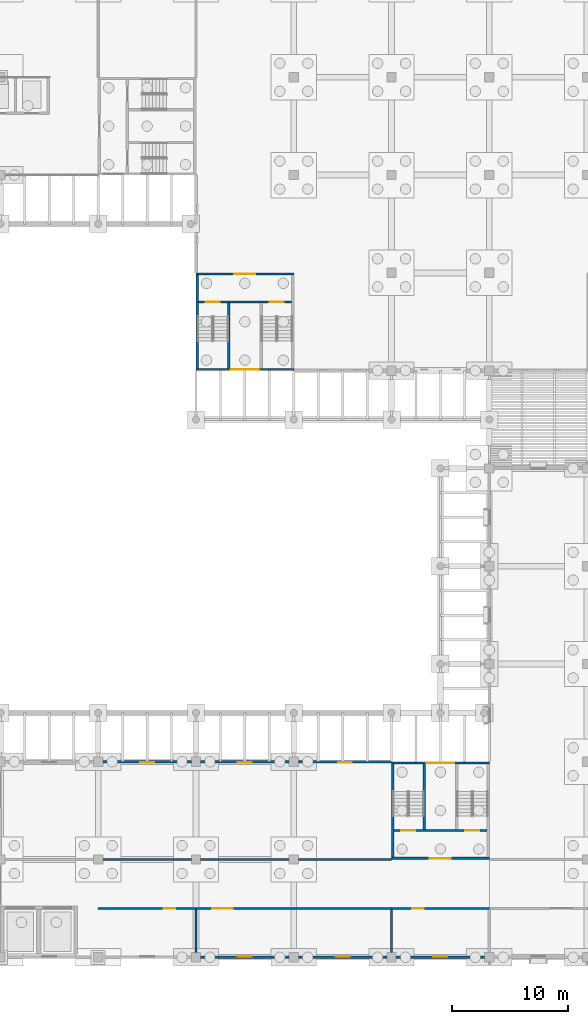
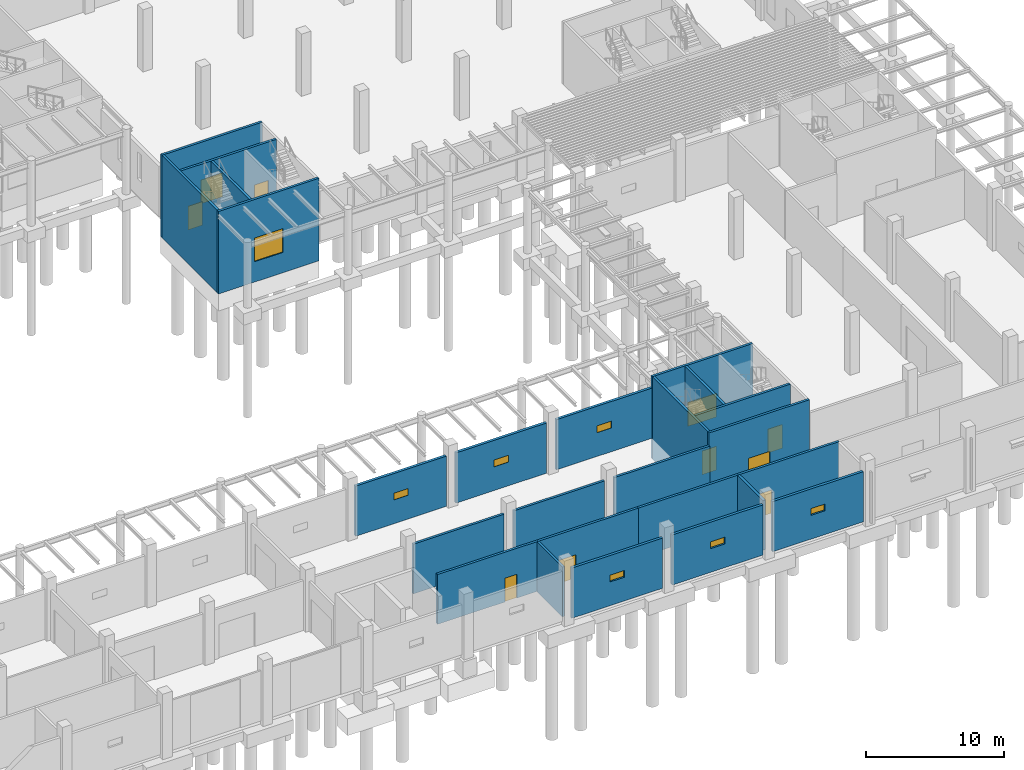
# One storey, part 30 of 82: 25 walls, 11 doors, 6 windows, 17 openings.
"""IFC4 building model written with IfcOpenShell, lengths in metres."""

from ifc_helpers import new_model, si_unit, direction, frame, frame_2d, origin, place, context, subcontext, project, spatial, rectangle, extrude, material, layer, layer_set, type_object, element, fill, save


model = new_model("IFC4")

# Units and contexts
model_context = context("Model", 3, precision=1e-05, world=origin(), true_north=direction((0.0, 1.0)))
body_context = subcontext(model_context, "Body", "Model", "MODEL_VIEW")
ifc_project = project(units=[si_unit("LENGTHUNIT", "METRE"), si_unit("AREAUNIT", "SQUARE_METRE"), si_unit("VOLUMEUNIT", "CUBIC_METRE"), si_unit("PLANEANGLEUNIT", "RADIAN"), si_unit("MASSUNIT", "GRAM", prefix="KILO")], contexts=[model_context])

# Site, building, storey
site_placement = place(None, origin())
site = spatial("IfcSite", under=ifc_project, at=site_placement, CompositionType="ELEMENT")
building_placement = place(site_placement, origin())
building = spatial("IfcBuilding", under=site, at=building_placement, Name="Almond Square Museum", CompositionType="ELEMENT")
storey_placement = place(building_placement, origin())
storey = spatial("IfcBuildingStorey", under=building, at=storey_placement, Name="L00", CompositionType="ELEMENT", Elevation=0.0)

# Walls
ifc_material_1 = material(Name="Concrete blockwork 200", Category="masonry")
ifc_layer_1 = layer(ifc_material_1, 0.199951171875)
ifc_layer_set_1 = layer_set([ifc_layer_1], Name="Concrete blockwork 200")
wall_type_1 = type_object("IfcWallType", Name="Fire partition 200 blockwork", PredefinedType="PARTITIONING", material=ifc_layer_set_1)
wall_1_placement = place(storey_placement, frame((98.800048828125, 8.39990234375, 0.0), z_axis=(0.0, 0.0, 1.0), x_axis=(1.0, 0.0, 0.0)))
element("IfcWall", 1, at=wall_1_placement, inside=storey, type_object=wall_type_1, Name="L00 partition 92", PredefinedType="PARTITIONING", context=body_context, shape_type="SweptSolid", body=[
    extrude(rectangle(XDim=7.599853515625, YDim=0.199951171875, at=frame_2d((3.7998046875, 0.0))), origin(), (0.0, 0.0, 1.0), 4.39990234375),
])
wall_2_placement = place(storey_placement, frame((107.199951171875, 8.39990234375, 0.0), z_axis=(0.0, 0.0, 1.0), x_axis=(1.0, 0.0, 0.0)))
element("IfcWall", 2, at=wall_2_placement, inside=storey, type_object=wall_type_1, Name="L00 partition 93", PredefinedType="PARTITIONING", context=body_context, shape_type="SweptSolid", body=[
    extrude(rectangle(XDim=7.60009765625, YDim=0.199951171875, at=frame_2d((3.800048828125, 0.0))), origin(), (0.0, 0.0, 1.0), 4.39990234375),
])
wall_3_placement = place(storey_placement, frame((115.60009765625, 8.39990234375, 0.0), z_axis=(0.0, 0.0, 1.0), x_axis=(1.0, 0.0, 0.0)))
element("IfcWall", 3, at=wall_3_placement, inside=storey, type_object=wall_type_1, Name="L00 partition 94", PredefinedType="PARTITIONING", context=body_context, shape_type="SweptSolid", body=[
    extrude(rectangle(XDim=8.0, YDim=0.199951171875, at=frame_2d((4.0, 0.0))), origin(), (0.0, 0.0, 1.0), 4.39990234375),
])

# Wall, opening, door
wall_4_placement = place(storey_placement, frame((98.39990234375, 4.199951171875, 0.0), z_axis=(0.0, 0.0, 1.0), x_axis=(1.0, 0.0, 0.0)))
wall_4 = element("IfcWall", 4, at=wall_4_placement, inside=storey, type_object=wall_type_1, Name="L00 partition 95", PredefinedType="PARTITIONING", context=body_context, shape_type="SweptSolid", body=[
    extrude(rectangle(XDim=8.400146484375, YDim=0.199951171875, at=frame_2d((4.2001953125, 0.0))), origin(), (0.0, 0.0, 1.0), 4.39990234375),
])
opening_1_placement = place(wall_4_placement, frame((5.625, 0.0, 0.0)))
opening_1 = element("IfcOpeningElement", 5, at=opening_1_placement, cuts=wall_4, Name="Opening D0132", PredefinedType="OPENING", context=body_context, shape_type="SweptSolid", body=[
    extrude(rectangle(XDim=1.0, YDim=2.10009765625, at=frame_2d((0.5, 1.050048828125))), frame((0.0, 0.10986328125, 0.0), z_axis=(0.0, -1.0, 0.0), x_axis=(1.0, 0.0, 0.0)), (0.0, 0.0, 1.0), 0.219970703125),
])
ifc_material_2 = material(Name="Steel", Category="steel")
door_type_1 = type_object("IfcDoorType", Name="Fire door 1000 x 2100 FD60 single", OperationType="NOTDEFINED", PredefinedType="DOOR", material=ifc_material_2)
door_1_placement = place(opening_1_placement, origin())
door_1 = element("IfcDoor", 6, at=door_1_placement, inside=storey, type_object=door_type_1, Name="L00 door Pump Room to Service Corridor 1", OperationType="SINGLE_SWING_LEFT", OverallHeight=2.10009765625, OverallWidth=1.0, PredefinedType="DOOR", context=body_context, shape_type="SweptSolid", body=[
    extrude(rectangle(XDim=1.0, YDim=2.10009765625, at=frame_2d((0.5, 1.050048828125))), frame((0.0, 0.02490234375, 0.0), z_axis=(0.0, -1.0, 0.0), x_axis=(1.0, 0.0, 0.0)), (0.0, 0.0, 1.0), 0.050048828125),
])
fill(opening_1, door_1)

wall_5_placement = place(storey_placement, frame((106.800048828125, 4.199951171875, 0.0), z_axis=(0.0, 0.0, 1.0), x_axis=(1.0, 0.0, 0.0)))
wall_5 = element("IfcWall", 7, at=wall_5_placement, inside=storey, type_object=wall_type_1, Name="L00 partition 96", PredefinedType="PARTITIONING", context=body_context, shape_type="SweptSolid", body=[
    extrude(rectangle(XDim=8.39990234375, YDim=0.199951171875, at=frame_2d((4.199951171875, 0.0))), origin(), (0.0, 0.0, 1.0), 4.39990234375),
])
opening_2_placement = place(wall_5_placement, frame((1.375, 0.0, 0.0)))
opening_2 = element("IfcOpeningElement", 8, at=opening_2_placement, cuts=wall_5, Name="Opening D0136", PredefinedType="OPENING", context=body_context, shape_type="SweptSolid", body=[
    extrude(rectangle(XDim=1.800048828125, YDim=2.10009765625, at=frame_2d((0.89990234375, 1.050048828125))), frame((0.0, 0.10986328125, 0.0), z_axis=(0.0, -1.0, 0.0), x_axis=(1.0, 0.0, 0.0)), (0.0, 0.0, 1.0), 0.219970703125),
])
ifc_material_3 = material(Name="Steel", Category="steel")
door_type_2 = type_object("IfcDoorType", Name="Fire door 1800 x 2100 FD60 double", OperationType="NOTDEFINED", PredefinedType="DOOR", material=ifc_material_3)
door_2_placement = place(opening_2_placement, origin())
door_2 = element("IfcDoor", 9, at=door_2_placement, inside=storey, type_object=door_type_2, Name="L00 door Air Handling Plant 1 to Service Corridor 1", OperationType="DOUBLE_DOOR_SINGLE_SWING", OverallHeight=2.10009765625, OverallWidth=1.800048828125, PredefinedType="DOOR", context=body_context, shape_type="SweptSolid", body=[
    extrude(rectangle(XDim=1.800048828125, YDim=2.10009765625, at=frame_2d((0.89990234375, 1.050048828125))), frame((0.0, 0.02490234375, 0.0), z_axis=(0.0, -1.0, 0.0), x_axis=(1.0, 0.0, 0.0)), (0.0, 0.0, 1.0), 0.050048828125),
])
fill(opening_2, door_2)

# Wall
wall_6_placement = place(storey_placement, frame((115.199951171875, 4.199951171875, 0.0), z_axis=(0.0, 0.0, 1.0), x_axis=(1.0, 0.0, 0.0)))
element("IfcWall", 10, at=wall_6_placement, inside=storey, type_object=wall_type_1, Name="L00 partition 97", PredefinedType="PARTITIONING", context=body_context, shape_type="SweptSolid", body=[
    extrude(rectangle(XDim=8.400146484375, YDim=0.199951171875, at=frame_2d((4.2001953125, 0.0))), origin(), (0.0, 0.0, 1.0), 4.39990234375),
])

# Wall, opening, door
wall_7_placement = place(storey_placement, frame((123.60009765625, 4.199951171875, 0.0), z_axis=(0.0, 0.0, 1.0), x_axis=(1.0, 0.0, 0.0)))
wall_7 = element("IfcWall", 11, at=wall_7_placement, inside=storey, type_object=wall_type_1, Name="L00 partition 98", PredefinedType="PARTITIONING", context=body_context, shape_type="SweptSolid", body=[
    extrude(rectangle(XDim=8.39990234375, YDim=0.199951171875, at=frame_2d((4.199951171875, 0.0))), origin(), (0.0, 0.0, 1.0), 4.39990234375),
])
opening_3_placement = place(wall_7_placement, frame((1.77490234375, 0.0, 0.0)))
opening_3 = element("IfcOpeningElement", 12, at=opening_3_placement, cuts=wall_7, Name="Opening D0137", PredefinedType="OPENING", context=body_context, shape_type="SweptSolid", body=[
    extrude(rectangle(XDim=1.0, YDim=2.10009765625, at=frame_2d((0.5, 1.050048828125))), frame((0.0, 0.10986328125, 0.0), z_axis=(0.0, -1.0, 0.0), x_axis=(1.0, 0.0, 0.0)), (0.0, 0.0, 1.0), 0.219970703125),
])
door_3_placement = place(opening_3_placement, origin())
door_3 = element("IfcDoor", 13, at=door_3_placement, inside=storey, type_object=door_type_1, Name="L00 door Generator Room to Service Corridor 1", OperationType="SINGLE_SWING_RIGHT", OverallHeight=2.10009765625, OverallWidth=1.0, PredefinedType="DOOR", context=body_context, shape_type="SweptSolid", body=[
    extrude(rectangle(XDim=1.0, YDim=2.10009765625, at=frame_2d((0.5, 1.050048828125))), frame((0.0, 0.02490234375, 0.0), z_axis=(0.0, -1.0, 0.0), x_axis=(1.0, 0.0, 0.0)), (0.0, 0.0, 1.0), 0.050048828125),
])
fill(opening_3, door_3)

# Walls
for number, where, z_axis, x_axis, name in (
    (14, (106.800048828125, 0.39990234375, 0.0), (0.0, 0.0, 1.0), (0.0, 1.0, 0.0), "L00 partition 116"),
    (15, (123.60009765625, 0.39990234375, 0.0), (0.0, 0.0, 1.0), (0.0, 1.0, 0.0), "L00 partition 118"),
):
    element("IfcWall", number, at=place(storey_placement, frame(where, z_axis=z_axis, x_axis=x_axis)), inside=storey, type_object=wall_type_1, Name=name, PredefinedType="PARTITIONING", context=body_context, shape_type="SweptSolid", body=[
        extrude(rectangle(XDim=3.7001953125, YDim=0.199951171875, at=frame_2d((1.85009765625, 0.0))), origin(), (0.0, 0.0, 1.0), 4.39990234375),
    ])

# Wall, opening, door
ifc_material_4 = material(Name="Concrete C40/50", Category="concrete")
ifc_layer_2 = layer(ifc_material_4, 0.199951171875)
ifc_layer_set_2 = layer_set([ifc_layer_2], Name="Concrete C40/50")
wall_type_2 = type_object("IfcWallType", Name="RC shear wall 200 C40/50", PredefinedType="SHEAR", material=ifc_layer_set_2)
wall_8_placement = place(storey_placement, frame((115.199951171875, 50.5, -1.800048828125), z_axis=(0.0, 0.0, 1.0), x_axis=(-1.0, 0.0, 0.0)))
wall_8 = element("IfcWall", 16, at=wall_8_placement, inside=storey, type_object=wall_type_2, Name="Core H1 south wall L00", PredefinedType="SHEAR", context=body_context, shape_type="SweptSolid", body=[
    extrude(rectangle(XDim=8.39990234375, YDim=0.199951171875, at=frame_2d((4.199951171875, 0.0))), origin(), (0.0, 0.0, 1.0), 7.300048828125),
])
opening_4_placement = place(wall_8_placement, frame((2.998779296875, 0.0, 1.800048828125)))
opening_4 = element("IfcOpeningElement", 17, at=opening_4_placement, cuts=wall_8, Name="Opening D018", PredefinedType="OPENING", context=body_context, shape_type="SweptSolid", body=[
    extrude(rectangle(XDim=2.39990234375, YDim=2.10009765625, at=frame_2d((1.199951171875, 1.050048828125))), frame((0.0, 0.10986328125, 0.0), z_axis=(0.0, -1.0, 0.0), x_axis=(1.0, 0.0, 0.0)), (0.0, 0.0, 1.0), 0.219970703125),
])
ifc_material_5 = material(Name="Steel frame and steel leaf", Category="steel")
door_type_3 = type_object("IfcDoorType", Name="Stair exit door pair 2400 x 2100", OperationType="NOTDEFINED", PredefinedType="DOOR", material=ifc_material_5)
door_4_placement = place(opening_4_placement, origin())
door_4 = element("IfcDoor", 18, at=door_4_placement, inside=storey, type_object=door_type_3, Name="Stair Exit H1 door D018", OperationType="DOUBLE_DOOR_SINGLE_SWING", OverallHeight=2.10009765625, OverallWidth=2.39990234375, PredefinedType="DOOR", context=body_context, shape_type="SweptSolid", body=[
    extrude(rectangle(XDim=2.39990234375, YDim=2.10009765625, at=frame_2d((1.199951171875, 1.050048828125))), frame((0.0, 0.02490234375, 0.0), z_axis=(0.0, -1.0, 0.0), x_axis=(1.0, 0.0, 0.0)), (0.0, 0.0, 1.0), 0.050048828125),
])
fill(opening_4, door_4)

wall_9_placement = place(storey_placement, frame((106.800048828125, 58.699951171875, -1.800048828125), z_axis=(0.0, 0.0, 1.0), x_axis=(1.0, 0.0, 0.0)))
wall_9 = element("IfcWall", 19, at=wall_9_placement, inside=storey, type_object=wall_type_2, Name="Core H1 north wall L00", PredefinedType="SHEAR", context=body_context, shape_type="SweptSolid", body=[
    extrude(rectangle(XDim=8.39990234375, YDim=0.199951171875, at=frame_2d((4.199951171875, 0.0))), origin(), (0.0, 0.0, 1.0), 7.300048828125),
])
opening_5_placement = place(wall_9_placement, frame((3.300048828125, 0.0, 1.800048828125)))
opening_5 = element("IfcOpeningElement", 20, at=opening_5_placement, cuts=wall_9, Name="Opening D0157", PredefinedType="OPENING", context=body_context, shape_type="SweptSolid", body=[
    extrude(rectangle(XDim=1.800048828125, YDim=2.10009765625, at=frame_2d((0.89990234375, 1.050048828125))), frame((0.0, 0.10986328125, 0.0), z_axis=(0.0, -1.0, 0.0), x_axis=(1.0, 0.0, 0.0)), (0.0, 0.0, 1.0), 0.219970703125),
])
door_5_placement = place(opening_5_placement, origin())
door_5 = element("IfcDoor", 21, at=door_5_placement, inside=storey, type_object=door_type_2, Name="L00 stair core H1 lobby door", OperationType="DOUBLE_DOOR_SINGLE_SWING", OverallHeight=2.10009765625, OverallWidth=1.800048828125, PredefinedType="DOOR", context=body_context, shape_type="SweptSolid", body=[
    extrude(rectangle(XDim=1.800048828125, YDim=2.10009765625, at=frame_2d((0.89990234375, 1.050048828125))), frame((0.0, 0.02490234375, 0.0), z_axis=(0.0, -1.0, 0.0), x_axis=(1.0, 0.0, 0.0)), (0.0, 0.0, 1.0), 0.050048828125),
])
fill(opening_5, door_5)

# Wall
wall_10_placement = place(storey_placement, frame((106.89990234375, 50.60009765625, -1.800048828125), z_axis=(0.0, 0.0, 1.0), x_axis=(0.0, 1.0, 0.0)))
element("IfcWall", 22, at=wall_10_placement, inside=storey, type_object=wall_type_2, Name="Core H1 west wall L00", PredefinedType="SHEAR", context=body_context, shape_type="SweptSolid", body=[
    extrude(rectangle(XDim=8.0, YDim=0.199951171875, at=frame_2d((4.0, 0.0))), origin(), (0.0, 0.0, 1.0), 7.300048828125),
])

# Wall, openings, doors
wall_11_placement = place(storey_placement, frame((107.0, 56.300048828125, -1.800048828125), z_axis=(0.0, 0.0, 1.0), x_axis=(1.0, 0.0, 0.0)))
wall_11 = element("IfcWall", 23, at=wall_11_placement, inside=storey, type_object=wall_type_2, Name="Core H1 lobby wall L00", PredefinedType="SHEAR", context=body_context, shape_type="SweptSolid", body=[
    extrude(rectangle(XDim=8.0, YDim=0.199951171875, at=frame_2d((4.0, 0.0))), origin(), (0.0, 0.0, 1.0), 7.300048828125),
])
opening_6_placement = place(wall_11_placement, frame((0.64990234375, 0.0, 1.800048828125)))
opening_6 = element("IfcOpeningElement", 24, at=opening_6_placement, cuts=wall_11, Name="Opening D0158", PredefinedType="OPENING", context=body_context, shape_type="SweptSolid", body=[
    extrude(rectangle(XDim=1.199951171875, YDim=2.10009765625, at=frame_2d((0.60009765625, 1.050048828125))), frame((0.0, 0.10986328125, 0.0), z_axis=(0.0, -1.0, 0.0), x_axis=(1.0, 0.0, 0.0)), (0.0, 0.0, 1.0), 0.219970703125),
])
opening_7_placement = place(wall_11_placement, frame((6.14990234375, 0.0, 1.800048828125)))
opening_7 = element("IfcOpeningElement", 25, at=opening_7_placement, cuts=wall_11, Name="Opening D0159", PredefinedType="OPENING", context=body_context, shape_type="SweptSolid", body=[
    extrude(rectangle(XDim=1.199951171875, YDim=2.10009765625, at=frame_2d((0.60009765625, 1.050048828125))), frame((0.0, 0.10986328125, 0.0), z_axis=(0.0, -1.0, 0.0), x_axis=(1.0, 0.0, 0.0)), (0.0, 0.0, 1.0), 0.219970703125),
])
ifc_material_6 = material(Name="Steel", Category="steel")
door_type_4 = type_object("IfcDoorType", Name="Fire door 1200 x 2100 FD120 stair", OperationType="NOTDEFINED", PredefinedType="DOOR", material=ifc_material_6)
door_6_placement = place(opening_6_placement, origin())
door_6 = element("IfcDoor", 26, at=door_6_placement, inside=storey, type_object=door_type_4, Name="L00 stair H1-1 door", OperationType="SINGLE_SWING_LEFT", OverallHeight=2.10009765625, OverallWidth=1.199951171875, PredefinedType="DOOR", context=body_context, shape_type="SweptSolid", body=[
    extrude(rectangle(XDim=1.199951171875, YDim=2.10009765625, at=frame_2d((0.60009765625, 1.050048828125))), frame((0.0, 0.02490234375, 0.0), z_axis=(0.0, -1.0, 0.0), x_axis=(1.0, 0.0, 0.0)), (0.0, 0.0, 1.0), 0.050048828125),
])
fill(opening_6, door_6)
door_7_placement = place(opening_7_placement, origin())
door_7 = element("IfcDoor", 27, at=door_7_placement, inside=storey, type_object=door_type_4, Name="L00 stair H1-2 door", OperationType="SINGLE_SWING_RIGHT", OverallHeight=2.10009765625, OverallWidth=1.199951171875, PredefinedType="DOOR", context=body_context, shape_type="SweptSolid", body=[
    extrude(rectangle(XDim=1.199951171875, YDim=2.10009765625, at=frame_2d((0.60009765625, 1.050048828125))), frame((0.0, 0.02490234375, 0.0), z_axis=(0.0, -1.0, 0.0), x_axis=(1.0, 0.0, 0.0)), (0.0, 0.0, 1.0), 0.050048828125),
])
fill(opening_7, door_7)

# Wall
wall_12_placement = place(storey_placement, frame((109.60009765625, 50.60009765625, -1.800048828125), z_axis=(0.0, 0.0, 1.0), x_axis=(0.0, 1.0, 0.0)))
element("IfcWall", 28, at=wall_12_placement, inside=storey, type_object=wall_type_2, Name="Core H1 partition wall L00", PredefinedType="SHEAR", context=body_context, shape_type="SweptSolid", body=[
    extrude(rectangle(XDim=5.599853515625, YDim=0.199951171875, at=frame_2d((2.7998046875, 0.0))), origin(), (0.0, 0.0, 1.0), 7.300048828125),
])

# Wall, opening, door
wall_13_placement = place(storey_placement, frame((123.60009765625, 8.5, -1.800048828125), z_axis=(0.0, 0.0, 1.0), x_axis=(1.0, 0.0, 0.0)))
wall_13 = element("IfcWall", 29, at=wall_13_placement, inside=storey, type_object=wall_type_2, Name="Core S3 south wall L00", PredefinedType="SHEAR", context=body_context, shape_type="SweptSolid", body=[
    extrude(rectangle(XDim=8.39990234375, YDim=0.199951171875, at=frame_2d((4.199951171875, 0.0))), origin(), (0.0, 0.0, 1.0), 7.300048828125),
])
opening_8_placement = place(wall_13_placement, frame((3.300048828125, 0.0, 1.800048828125)))
opening_8 = element("IfcOpeningElement", 30, at=opening_8_placement, cuts=wall_13, Name="Opening D0210", PredefinedType="OPENING", context=body_context, shape_type="SweptSolid", body=[
    extrude(rectangle(XDim=1.800048828125, YDim=2.10009765625, at=frame_2d((0.89990234375, 1.050048828125))), frame((0.0, 0.10986328125, 0.0), z_axis=(0.0, -1.0, 0.0), x_axis=(1.0, 0.0, 0.0)), (0.0, 0.0, 1.0), 0.219970703125),
])
door_8_placement = place(opening_8_placement, origin())
door_8 = element("IfcDoor", 31, at=door_8_placement, inside=storey, type_object=door_type_2, Name="L00 stair core S3 lobby door", OperationType="DOUBLE_DOOR_SINGLE_SWING", OverallHeight=2.10009765625, OverallWidth=1.800048828125, PredefinedType="DOOR", context=body_context, shape_type="SweptSolid", body=[
    extrude(rectangle(XDim=1.800048828125, YDim=2.10009765625, at=frame_2d((0.89990234375, 1.050048828125))), frame((0.0, 0.02490234375, 0.0), z_axis=(0.0, -1.0, 0.0), x_axis=(1.0, 0.0, 0.0)), (0.0, 0.0, 1.0), 0.050048828125),
])
fill(opening_8, door_8)

wall_14_placement = place(storey_placement, frame((123.60009765625, 16.699951171875, -1.800048828125), z_axis=(0.0, 0.0, 1.0), x_axis=(1.0, 0.0, 0.0)))
wall_14 = element("IfcWall", 32, at=wall_14_placement, inside=storey, type_object=wall_type_2, Name="Core S3 north wall L00", PredefinedType="SHEAR", context=body_context, shape_type="SweptSolid", body=[
    extrude(rectangle(XDim=8.39990234375, YDim=0.199951171875, at=frame_2d((4.199951171875, 0.0))), origin(), (0.0, 0.0, 1.0), 7.300048828125),
])
opening_9_placement = place(wall_14_placement, frame((3.001220703125, 0.0, 1.800048828125)))
opening_9 = element("IfcOpeningElement", 33, at=opening_9_placement, cuts=wall_14, Name="Opening D033", PredefinedType="OPENING", context=body_context, shape_type="SweptSolid", body=[
    extrude(rectangle(XDim=2.39990234375, YDim=2.10009765625, at=frame_2d((1.199951171875, 1.050048828125))), frame((0.0, 0.10986328125, 0.0), z_axis=(0.0, -1.0, 0.0), x_axis=(1.0, 0.0, 0.0)), (0.0, 0.0, 1.0), 0.219970703125),
])
door_9_placement = place(opening_9_placement, origin())
door_9 = element("IfcDoor", 34, at=door_9_placement, inside=storey, type_object=door_type_3, Name="Stair Exit S3 door D033", OperationType="DOUBLE_DOOR_SINGLE_SWING", OverallHeight=2.10009765625, OverallWidth=2.39990234375, PredefinedType="DOOR", context=body_context, shape_type="SweptSolid", body=[
    extrude(rectangle(XDim=2.39990234375, YDim=2.10009765625, at=frame_2d((1.199951171875, 1.050048828125))), frame((0.0, 0.02490234375, 0.0), z_axis=(0.0, -1.0, 0.0), x_axis=(1.0, 0.0, 0.0)), (0.0, 0.0, 1.0), 0.050048828125),
])
fill(opening_9, door_9)

# Wall
wall_15_placement = place(storey_placement, frame((123.699951171875, 8.60009765625, -1.800048828125), z_axis=(0.0, 0.0, 1.0), x_axis=(0.0, 1.0, 0.0)))
element("IfcWall", 35, at=wall_15_placement, inside=storey, type_object=wall_type_2, Name="Core S3 west wall L00", PredefinedType="SHEAR", context=body_context, shape_type="SweptSolid", body=[
    extrude(rectangle(XDim=8.0, YDim=0.199951171875, at=frame_2d((4.0, 0.0))), origin(), (0.0, 0.0, 1.0), 7.300048828125),
])

# Wall, openings, doors
wall_16_placement = place(storey_placement, frame((123.800048828125, 10.89990234375, -1.800048828125), z_axis=(0.0, 0.0, 1.0), x_axis=(1.0, 0.0, 0.0)))
wall_16 = element("IfcWall", 36, at=wall_16_placement, inside=storey, type_object=wall_type_2, Name="Core S3 lobby wall L00", PredefinedType="SHEAR", context=body_context, shape_type="SweptSolid", body=[
    extrude(rectangle(XDim=8.0, YDim=0.199951171875, at=frame_2d((4.0, 0.0))), origin(), (0.0, 0.0, 1.0), 7.300048828125),
])
opening_10_placement = place(wall_16_placement, frame((0.64990234375, 0.0, 1.800048828125)))
opening_10 = element("IfcOpeningElement", 37, at=opening_10_placement, cuts=wall_16, Name="Opening D0211", PredefinedType="OPENING", context=body_context, shape_type="SweptSolid", body=[
    extrude(rectangle(XDim=1.199951171875, YDim=2.10009765625, at=frame_2d((0.60009765625, 1.050048828125))), frame((0.0, 0.10986328125, 0.0), z_axis=(0.0, -1.0, 0.0), x_axis=(1.0, 0.0, 0.0)), (0.0, 0.0, 1.0), 0.219970703125),
])
opening_11_placement = place(wall_16_placement, frame((6.14990234375, 0.0, 1.800048828125)))
opening_11 = element("IfcOpeningElement", 38, at=opening_11_placement, cuts=wall_16, Name="Opening D0212", PredefinedType="OPENING", context=body_context, shape_type="SweptSolid", body=[
    extrude(rectangle(XDim=1.199951171875, YDim=2.10009765625, at=frame_2d((0.60009765625, 1.050048828125))), frame((0.0, 0.10986328125, 0.0), z_axis=(0.0, -1.0, 0.0), x_axis=(1.0, 0.0, 0.0)), (0.0, 0.0, 1.0), 0.219970703125),
])
door_10_placement = place(opening_10_placement, origin())
door_10 = element("IfcDoor", 39, at=door_10_placement, inside=storey, type_object=door_type_4, Name="L00 stair S3-1 door", OperationType="SINGLE_SWING_LEFT", OverallHeight=2.10009765625, OverallWidth=1.199951171875, PredefinedType="DOOR", context=body_context, shape_type="SweptSolid", body=[
    extrude(rectangle(XDim=1.199951171875, YDim=2.10009765625, at=frame_2d((0.60009765625, 1.050048828125))), frame((0.0, 0.02490234375, 0.0), z_axis=(0.0, -1.0, 0.0), x_axis=(1.0, 0.0, 0.0)), (0.0, 0.0, 1.0), 0.050048828125),
])
fill(opening_10, door_10)
door_11_placement = place(opening_11_placement, origin())
door_11 = element("IfcDoor", 40, at=door_11_placement, inside=storey, type_object=door_type_4, Name="L00 stair S3-2 door", OperationType="SINGLE_SWING_RIGHT", OverallHeight=2.10009765625, OverallWidth=1.199951171875, PredefinedType="DOOR", context=body_context, shape_type="SweptSolid", body=[
    extrude(rectangle(XDim=1.199951171875, YDim=2.10009765625, at=frame_2d((0.60009765625, 1.050048828125))), frame((0.0, 0.02490234375, 0.0), z_axis=(0.0, -1.0, 0.0), x_axis=(1.0, 0.0, 0.0)), (0.0, 0.0, 1.0), 0.050048828125),
])
fill(opening_11, door_11)

# Wall
wall_17_placement = place(storey_placement, frame((126.39990234375, 11.0, -1.800048828125), z_axis=(0.0, 0.0, 1.0), x_axis=(0.0, 1.0, 0.0)))
element("IfcWall", 41, at=wall_17_placement, inside=storey, type_object=wall_type_2, Name="Core S3 partition wall L00", PredefinedType="SHEAR", context=body_context, shape_type="SweptSolid", body=[
    extrude(rectangle(XDim=5.60009765625, YDim=0.199951171875, at=frame_2d((2.800048828125, 0.0))), origin(), (0.0, 0.0, 1.0), 7.300048828125),
])

# Wall, opening, window
ifc_material_7 = material(Name="Concrete C30/37", Category="concrete")
ifc_layer_3 = layer(ifc_material_7, 0.219970703125)
ifc_layer_set_3 = layer_set([ifc_layer_3], Name="Concrete C30/37")
wall_type_3 = type_object("IfcWallType", Name="Stucco panel wall 220 with insulation", PredefinedType="SOLIDWALL", material=ifc_layer_set_3)
wall_18_placement = place(storey_placement, frame((107.199951171875, 0.0, 0.0), z_axis=(0.0, 0.0, 1.0), x_axis=(1.0, 0.0, 0.0)))
wall_18 = element("IfcWall", 42, at=wall_18_placement, inside=storey, type_object=wall_type_3, Name="External wall W4 V5S L00 S12", PredefinedType="SOLIDWALL", context=body_context, shape_type="SweptSolid", body=[
    extrude(rectangle(XDim=7.60009765625, YDim=0.219970703125, at=frame_2d((3.800048828125, 0.0))), origin(), (0.0, 0.0, 1.0), 4.43994140625),
])
opening_12_placement = place(wall_18_placement, frame((3.199951171875, 0.0, 2.10009765625)))
opening_12 = element("IfcOpeningElement", 43, at=opening_12_placement, cuts=wall_18, Name="Opening W0009", PredefinedType="OPENING", context=body_context, shape_type="SweptSolid", body=[
    extrude(rectangle(XDim=1.199951171875, YDim=0.60009765625, at=frame_2d((0.60009765625, 0.300048828125))), frame((0.0, 0.119873046875, 0.0), z_axis=(0.0, -1.0, 0.0), x_axis=(1.0, 0.0, 0.0)), (0.0, 0.0, 1.0), 0.239990234375),
])
ifc_material_8 = material(Name="Anodised aluminium louvre", Category="aluminium")
window_type = type_object("IfcWindowType", Name="Louvred vent", PartitioningType="SINGLE_PANEL", PredefinedType="WINDOW", material=ifc_material_8)
window_1_placement = place(opening_12_placement, origin())
window_1 = element("IfcWindow", 44, at=window_1_placement, inside=storey, type_object=window_type, Name="Louvred vent W0009", OverallHeight=0.60009765625, OverallWidth=1.199951171875, PartitioningType="SINGLE_PANEL", PredefinedType="WINDOW", context=body_context, shape_type="SweptSolid", body=[
    extrude(rectangle(XDim=1.199951171875, YDim=0.60009765625, at=frame_2d((0.60009765625, 0.300048828125))), frame((0.0, 0.090087890625, 0.0), z_axis=(0.0, -1.0, 0.0), x_axis=(1.0, 0.0, 0.0)), (0.0, 0.0, 1.0), 0.06005859375),
])
fill(opening_12, window_1)

wall_19_placement = place(storey_placement, frame((115.60009765625, 0.0, 0.0), z_axis=(0.0, 0.0, 1.0), x_axis=(1.0, 0.0, 0.0)))
wall_19 = element("IfcWall", 45, at=wall_19_placement, inside=storey, type_object=wall_type_3, Name="External wall W4 V5S L00 S13", PredefinedType="SOLIDWALL", context=body_context, shape_type="SweptSolid", body=[
    extrude(rectangle(XDim=7.599853515625, YDim=0.219970703125, at=frame_2d((3.7998046875, 0.0))), origin(), (0.0, 0.0, 1.0), 4.43994140625),
])
opening_13_placement = place(wall_19_placement, frame((3.199951171875, 0.0, 2.10009765625)))
opening_13 = element("IfcOpeningElement", 46, at=opening_13_placement, cuts=wall_19, Name="Opening W0010", PredefinedType="OPENING", context=body_context, shape_type="SweptSolid", body=[
    extrude(rectangle(XDim=1.199951171875, YDim=0.60009765625, at=frame_2d((0.60009765625, 0.300048828125))), frame((0.0, 0.119873046875, 0.0), z_axis=(0.0, -1.0, 0.0), x_axis=(1.0, 0.0, 0.0)), (0.0, 0.0, 1.0), 0.239990234375),
])
window_2_placement = place(opening_13_placement, origin())
window_2 = element("IfcWindow", 47, at=window_2_placement, inside=storey, type_object=window_type, Name="Louvred vent W0010", OverallHeight=0.60009765625, OverallWidth=1.199951171875, PartitioningType="SINGLE_PANEL", PredefinedType="WINDOW", context=body_context, shape_type="SweptSolid", body=[
    extrude(rectangle(XDim=1.199951171875, YDim=0.60009765625, at=frame_2d((0.60009765625, 0.300048828125))), frame((0.0, 0.090087890625, 0.0), z_axis=(0.0, -1.0, 0.0), x_axis=(1.0, 0.0, 0.0)), (0.0, 0.0, 1.0), 0.06005859375),
])
fill(opening_13, window_2)

wall_20_placement = place(storey_placement, frame((124.0, 0.0, 0.0), z_axis=(0.0, 0.0, 1.0), x_axis=(1.0, 0.0, 0.0)))
wall_20 = element("IfcWall", 48, at=wall_20_placement, inside=storey, type_object=wall_type_3, Name="External wall W4 V5S L00 S14", PredefinedType="SOLIDWALL", context=body_context, shape_type="SweptSolid", body=[
    extrude(rectangle(XDim=7.60009765625, YDim=0.219970703125, at=frame_2d((3.800048828125, 0.0))), origin(), (0.0, 0.0, 1.0), 4.43994140625),
])
opening_14_placement = place(wall_20_placement, frame((3.199951171875, 0.0, 2.10009765625)))
opening_14 = element("IfcOpeningElement", 49, at=opening_14_placement, cuts=wall_20, Name="Opening W0011", PredefinedType="OPENING", context=body_context, shape_type="SweptSolid", body=[
    extrude(rectangle(XDim=1.199951171875, YDim=0.60009765625, at=frame_2d((0.60009765625, 0.300048828125))), frame((0.0, 0.119873046875, 0.0), z_axis=(0.0, -1.0, 0.0), x_axis=(1.0, 0.0, 0.0)), (0.0, 0.0, 1.0), 0.239990234375),
])
window_3_placement = place(opening_14_placement, origin())
window_3 = element("IfcWindow", 50, at=window_3_placement, inside=storey, type_object=window_type, Name="Louvred vent W0011", OverallHeight=0.60009765625, OverallWidth=1.199951171875, PartitioningType="SINGLE_PANEL", PredefinedType="WINDOW", context=body_context, shape_type="SweptSolid", body=[
    extrude(rectangle(XDim=1.199951171875, YDim=0.60009765625, at=frame_2d((0.60009765625, 0.300048828125))), frame((0.0, 0.090087890625, 0.0), z_axis=(0.0, -1.0, 0.0), x_axis=(1.0, 0.0, 0.0)), (0.0, 0.0, 1.0), 0.06005859375),
])
fill(opening_14, window_3)

wall_21_placement = place(storey_placement, frame((115.60009765625, 16.800048828125, 0.0), z_axis=(0.0, 0.0, 1.0), x_axis=(1.0, 0.0, 0.0)))
wall_21 = element("IfcWall", 51, at=wall_21_placement, inside=storey, type_object=wall_type_3, Name="External wall W4 V5S L00 N01", PredefinedType="SOLIDWALL", context=body_context, shape_type="SweptSolid", body=[
    extrude(rectangle(XDim=8.0, YDim=0.219970703125, at=frame_2d((4.0, 0.0))), origin(), (0.0, 0.0, 1.0), 4.43994140625),
])
opening_15_placement = place(wall_21_placement, frame((3.39990234375, 0.0, 2.10009765625)))
opening_15 = element("IfcOpeningElement", 52, at=opening_15_placement, cuts=wall_21, Name="Opening W0024", PredefinedType="OPENING", context=body_context, shape_type="SweptSolid", body=[
    extrude(rectangle(XDim=1.199951171875, YDim=0.60009765625, at=frame_2d((0.60009765625, 0.300048828125))), frame((0.0, 0.119873046875, 0.0), z_axis=(0.0, -1.0, 0.0), x_axis=(1.0, 0.0, 0.0)), (0.0, 0.0, 1.0), 0.239990234375),
])
window_4_placement = place(opening_15_placement, origin())
window_4 = element("IfcWindow", 53, at=window_4_placement, inside=storey, type_object=window_type, Name="Louvred vent W0024", OverallHeight=0.60009765625, OverallWidth=1.199951171875, PartitioningType="SINGLE_PANEL", PredefinedType="WINDOW", context=body_context, shape_type="SweptSolid", body=[
    extrude(rectangle(XDim=1.199951171875, YDim=0.60009765625, at=frame_2d((0.60009765625, 0.300048828125))), frame((0.0, -0.030029296875, 0.0), z_axis=(0.0, -1.0, 0.0), x_axis=(1.0, 0.0, 0.0)), (0.0, 0.0, 1.0), 0.06005859375),
])
fill(opening_15, window_4)

wall_22_placement = place(storey_placement, frame((107.199951171875, 16.800048828125, 0.0), z_axis=(0.0, 0.0, 1.0), x_axis=(1.0, 0.0, 0.0)))
wall_22 = element("IfcWall", 54, at=wall_22_placement, inside=storey, type_object=wall_type_3, Name="External wall W4 V5S L00 N02", PredefinedType="SOLIDWALL", context=body_context, shape_type="SweptSolid", body=[
    extrude(rectangle(XDim=7.60009765625, YDim=0.219970703125, at=frame_2d((3.800048828125, 0.0))), origin(), (0.0, 0.0, 1.0), 4.43994140625),
])
opening_16_placement = place(wall_22_placement, frame((3.199951171875, 0.0, 2.10009765625)))
opening_16 = element("IfcOpeningElement", 55, at=opening_16_placement, cuts=wall_22, Name="Opening W0025", PredefinedType="OPENING", context=body_context, shape_type="SweptSolid", body=[
    extrude(rectangle(XDim=1.199951171875, YDim=0.60009765625, at=frame_2d((0.60009765625, 0.300048828125))), frame((0.0, 0.119873046875, 0.0), z_axis=(0.0, -1.0, 0.0), x_axis=(1.0, 0.0, 0.0)), (0.0, 0.0, 1.0), 0.239990234375),
])
window_5_placement = place(opening_16_placement, origin())
window_5 = element("IfcWindow", 56, at=window_5_placement, inside=storey, type_object=window_type, Name="Louvred vent W0025", OverallHeight=0.60009765625, OverallWidth=1.199951171875, PartitioningType="SINGLE_PANEL", PredefinedType="WINDOW", context=body_context, shape_type="SweptSolid", body=[
    extrude(rectangle(XDim=1.199951171875, YDim=0.60009765625, at=frame_2d((0.60009765625, 0.300048828125))), frame((0.0, -0.030029296875, 0.0), z_axis=(0.0, -1.0, 0.0), x_axis=(1.0, 0.0, 0.0)), (0.0, 0.0, 1.0), 0.06005859375),
])
fill(opening_16, window_5)

wall_23_placement = place(storey_placement, frame((98.800048828125, 16.800048828125, 0.0), z_axis=(0.0, 0.0, 1.0), x_axis=(1.0, 0.0, 0.0)))
wall_23 = element("IfcWall", 57, at=wall_23_placement, inside=storey, type_object=wall_type_3, Name="External wall W4 V5S L00 N03", PredefinedType="SOLIDWALL", context=body_context, shape_type="SweptSolid", body=[
    extrude(rectangle(XDim=7.599853515625, YDim=0.219970703125, at=frame_2d((3.7998046875, 0.0))), origin(), (0.0, 0.0, 1.0), 4.43994140625),
])
opening_17_placement = place(wall_23_placement, frame((3.199951171875, 0.0, 2.10009765625)))
opening_17 = element("IfcOpeningElement", 58, at=opening_17_placement, cuts=wall_23, Name="Opening W0026", PredefinedType="OPENING", context=body_context, shape_type="SweptSolid", body=[
    extrude(rectangle(XDim=1.199951171875, YDim=0.60009765625, at=frame_2d((0.60009765625, 0.300048828125))), frame((0.0, 0.119873046875, 0.0), z_axis=(0.0, -1.0, 0.0), x_axis=(1.0, 0.0, 0.0)), (0.0, 0.0, 1.0), 0.239990234375),
])
window_6_placement = place(opening_17_placement, origin())
window_6 = element("IfcWindow", 59, at=window_6_placement, inside=storey, type_object=window_type, Name="Louvred vent W0026", OverallHeight=0.60009765625, OverallWidth=1.199951171875, PartitioningType="SINGLE_PANEL", PredefinedType="WINDOW", context=body_context, shape_type="SweptSolid", body=[
    extrude(rectangle(XDim=1.199951171875, YDim=0.60009765625, at=frame_2d((0.60009765625, 0.300048828125))), frame((0.0, -0.030029296875, 0.0), z_axis=(0.0, -1.0, 0.0), x_axis=(1.0, 0.0, 0.0)), (0.0, 0.0, 1.0), 0.06005859375),
])
fill(opening_17, window_6)

save(model, "model.ifc")
